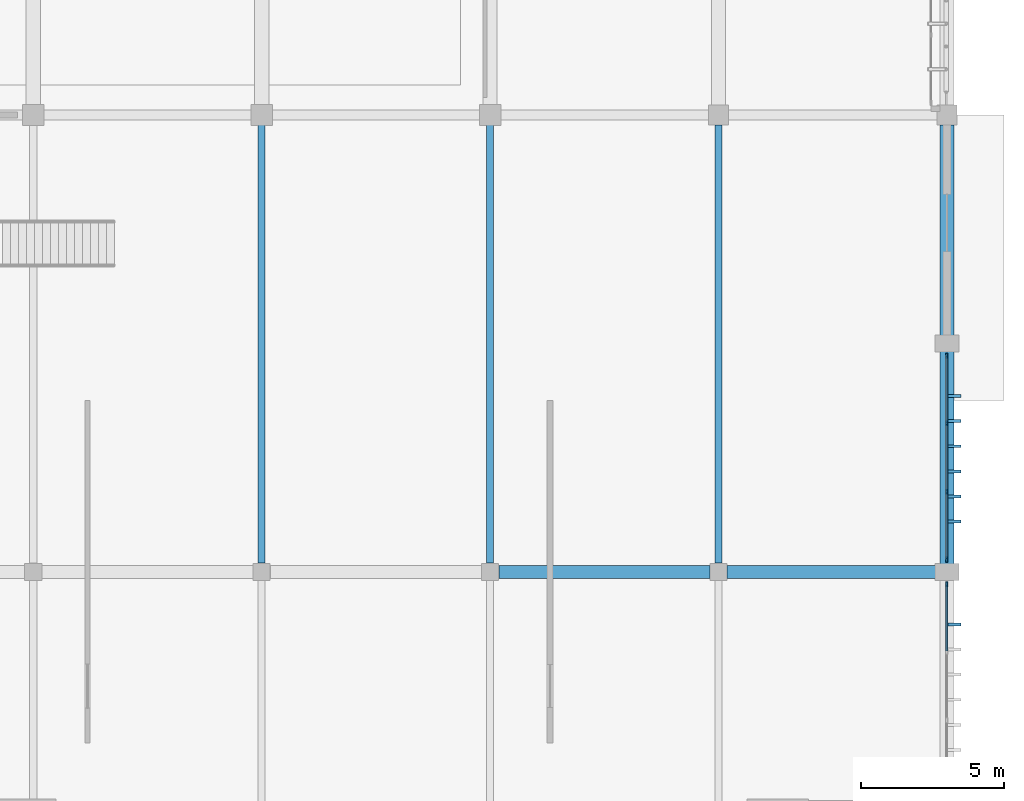
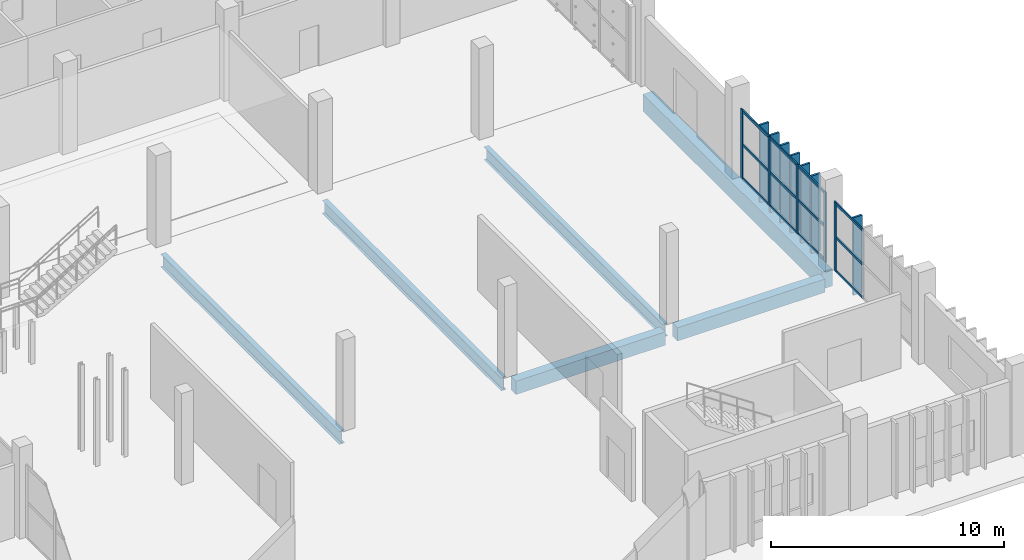
# One storey, part 61 of 117: 24 members, 6 beams, 2 elements without a shape of their own.
"""IFC4 building model written with IfcOpenShell, lengths in metres."""

from ifc_helpers import new_model, si_unit, direction, frame, origin, origin_2d, place, context, subcontext, project, spatial, rectangle, i_section, extrude, material, layer, layer_set, material_profile, profile_set, type_object, element, aggregate, save


model = new_model("IFC4")

# Units and contexts
model_context = context("Model", 3, precision=1e-05, world=origin(), true_north=direction((0.0, 1.0)))
body_context = subcontext(model_context, "Body", "Model", "MODEL_VIEW")
ifc_project = project(units=[si_unit("LENGTHUNIT", "METRE"), si_unit("AREAUNIT", "SQUARE_METRE"), si_unit("VOLUMEUNIT", "CUBIC_METRE"), si_unit("PLANEANGLEUNIT", "RADIAN"), si_unit("MASSUNIT", "GRAM", prefix="KILO")], contexts=[model_context])

# Site, building, storey
site_placement = place(None, origin())
site = spatial("IfcSite", under=ifc_project, at=site_placement, CompositionType="ELEMENT")
building_placement = place(site_placement, origin())
building = spatial("IfcBuilding", under=site, at=building_placement, Name="Jelvoka-Kovrelna Polytechnic", CompositionType="ELEMENT")
storey_placement = place(building_placement, origin())
storey = spatial("IfcBuildingStorey", under=building, at=storey_placement, Name="L01", CompositionType="ELEMENT", Elevation=0.0)

# Beams
ifc_material_1 = material(Name="Concrete C40/50", Category="concrete")
ifc_material_profile_1 = material_profile(ifc_material_1, rectangle(XDim=0.449951171875, YDim=0.699951171875, at=origin_2d()), Name="RC 450x700")
ifc_profile_set_1 = profile_set([ifc_material_profile_1], Name="Concrete C40/50")
beam_type_1 = type_object("IfcBeamType", Name="Beam_RC_450x700", PredefinedType="BEAM", material=ifc_profile_set_1)
beam_1_placement = place(storey_placement, frame((184.304931640625, 16.0, -0.760009765625), z_axis=(1.0, 0.0, 0.0), x_axis=(0.0, 1.0, 0.0)))
element("IfcBeam", 1, at=beam_1_placement, inside=storey, type_object=beam_type_1, Name="L01 beam 0152", PredefinedType="BEAM", context=body_context, shape_type="SweptSolid", body=[
    extrude(rectangle(XDim=0.449951171875, YDim=0.699951171875, at=origin_2d()), origin(), (0.0, 0.0, 1.0), 7.39013671875),
])
beam_2_placement = place(storey_placement, frame((192.304931640625, 16.0, -0.760009765625), z_axis=(1.0, 0.0, 0.0), x_axis=(0.0, 1.0, 0.0)))
element("IfcBeam", 2, at=beam_2_placement, inside=storey, type_object=beam_type_1, Name="L01 beam 0155", PredefinedType="BEAM", context=body_context, shape_type="SweptSolid", body=[
    extrude(rectangle(XDim=0.449951171875, YDim=0.699951171875, at=origin_2d()), origin(), (0.0, 0.0, 1.0), 7.2900390625),
])
ifc_material_2 = material(Name="Concrete C40/50", Category="concrete")
ifc_material_profile_2 = material_profile(ifc_material_2, rectangle(XDim=0.5, YDim=0.89990234375, at=origin_2d()), Name="RC 500x900")
ifc_profile_set_2 = profile_set([ifc_material_profile_2], Name="Concrete C40/50")
beam_type_2 = type_object("IfcBeamType", Name="Beam_RC_500x900", PredefinedType="BEAM", material=ifc_profile_set_2)
beam_3_placement = place(storey_placement, frame((200.0, 16.280029296875, -0.860107421875), z_axis=(0.0, 1.0, 0.0), x_axis=(-1.0, 0.0, 0.0)))
element("IfcBeam", 3, at=beam_3_placement, inside=storey, type_object=beam_type_2, Name="L01 beam 0141", PredefinedType="BEAM", context=body_context, shape_type="SweptSolid", body=[
    extrude(rectangle(XDim=0.5, YDim=0.89990234375, at=origin_2d()), origin(), (0.0, 0.0, 1.0), 15.364990234375),
])
ifc_material_3 = material(Name="Structural steel S355JR", Category="steel")
ifc_material_profile_3 = material_profile(ifc_material_3, i_section(OverallWidth=0.2529296875, OverallDepth=0.677978515625, WebThickness=0.01171875, FlangeThickness=0.01611328125, FilletRadius=0.01513671875, at=origin_2d()), Name="686x254x125 UB")
ifc_profile_set_3 = profile_set([ifc_material_profile_3], Name="Structural steel S355JR")
beam_type_3 = type_object("IfcBeamType", Name="Girder_Steel_UB686", PredefinedType="BEAM", material=ifc_profile_set_3)
for number, where, z_axis, x_axis, name in (
    (4, (176.0, 16.304931640625, -0.7490234375), (0.0, 1.0, 0.0), (-1.0, 0.0, 0.0), "L01 beam 0135"),
    (5, (184.0, 16.304931640625, -0.7490234375), (0.0, 1.0, 0.0), (-1.0, 0.0, 0.0), "L01 beam 0137"),
    (6, (192.0, 16.304931640625, -0.7490234375), (0.0, 1.0, 0.0), (-1.0, 0.0, 0.0), "L01 beam 0139"),
):
    element("IfcBeam", number, at=place(storey_placement, frame(where, z_axis=z_axis, x_axis=x_axis)), inside=storey, type_object=beam_type_3, Name=name, PredefinedType="BEAM", context=body_context, shape_type="SweptSolid", body=[
        extrude(i_section(OverallWidth=0.2529296875, OverallDepth=0.677978515625, WebThickness=0.01171875, FlangeThickness=0.01611328125, FilletRadius=0.01513671875, at=origin_2d()), origin(), (0.0, 0.0, 1.0), 15.340087890625),
    ])

# Members
ifc_material_4 = material(Name="Precast concrete C40/50", Category="concrete")
ifc_material_profile_4 = material_profile(ifc_material_4, rectangle(XDim=0.10009765625, YDim=0.449951171875, at=origin_2d()), Name="PC 100x450")
ifc_profile_set_4 = profile_set([ifc_material_profile_4], Name="Precast concrete C40/50")
member_type_1 = type_object("IfcMemberType", Name="Louvre_Fin_100x450", PredefinedType="USERDEFINED", material=ifc_profile_set_4)
for number, where, z_axis, x_axis, name in (
    (7, (200.264892578125, 14.159912109375, -0.419921875), (0.0, 0.0, 1.0), (0.0, 1.0, 0.0), "L01 V5 east solar louvre fin 2421"),
    (8, (200.264892578125, 17.760009765625, -0.419921875), (0.0, 0.0, 1.0), (0.0, 1.0, 0.0), "L01 V5 east solar louvre fin 2422"),
    (9, (200.264892578125, 18.639892578125, -0.419921875), (0.0, 0.0, 1.0), (0.0, 1.0, 0.0), "L01 V5 east solar louvre fin 2423"),
    (10, (200.264892578125, 19.52001953125, -0.419921875), (0.0, 0.0, 1.0), (0.0, 1.0, 0.0), "L01 V5 east solar louvre fin 2424"),
    (11, (200.264892578125, 20.39990234375, -0.419921875), (0.0, 0.0, 1.0), (0.0, 1.0, 0.0), "L01 V5 east solar louvre fin 2425"),
    (12, (200.264892578125, 21.280029296875, -0.419921875), (0.0, 0.0, 1.0), (0.0, 1.0, 0.0), "L01 V5 east solar louvre fin 2426"),
    (13, (200.264892578125, 22.159912109375, -0.419921875), (0.0, 0.0, 1.0), (0.0, 1.0, 0.0), "L01 V5 east solar louvre fin 2427"),
):
    element("IfcMember", number, at=place(storey_placement, frame(where, z_axis=z_axis, x_axis=x_axis)), inside=storey, type_object=member_type_1, Name=name, ObjectType="SUNSHADE", PredefinedType="USERDEFINED", context=body_context, shape_type="SweptSolid", body=[
        extrude(rectangle(XDim=0.10009765625, YDim=0.449951171875, at=origin_2d()), origin(), (0.0, 0.0, 1.0), 4.059814453125),
    ])

# Curtain wall, member
ifc_material_5 = material(Name="Anodised aluminium 6063-T6", Category="aluminium")
ifc_layer = layer(ifc_material_5, 0.179931640625)
ifc_layer_set = layer_set([ifc_layer], Name="Anodised aluminium 6063-T6")
curtain_wall_type = type_object("IfcCurtainWallType", Name="CW_Pavilion", PredefinedType="NOTDEFINED", material=ifc_layer_set)
curtain_wall_1_placement = place(storey_placement, origin())
curtain_wall_1 = element("IfcCurtainWall", 14, at=curtain_wall_1_placement, inside=storey, type_object=curtain_wall_type, Name="L01 glazed curtain wall 270", PredefinedType="NOTDEFINED")
ifc_material_6 = material(Name="Anodised aluminium 6063-T6", Category="aluminium")
ifc_material_profile_5 = material_profile(ifc_material_6, rectangle(XDim=0.06494140625, YDim=0.179931640625, at=origin_2d()), Name="ALU 65x180")
ifc_profile_set_5 = profile_set([ifc_material_profile_5], Name="Anodised aluminium 6063-T6")
member_type_2 = type_object("IfcMemberType", Name="Mullion_M-05", PredefinedType="MULLION", material=ifc_profile_set_5)
member_1_placement = place(storey_placement, frame((200.0, 15.5673828125, -0.02490234375), z_axis=(0.0, 0.0, 1.0), x_axis=(1.0, 0.0, 0.0)))
member_1 = element("IfcMember", 15, at=member_1_placement, type_object=member_type_2, Name="CW-05 mullion 1", PredefinedType="MULLION", context=body_context, shape_type="SweptSolid", body=[
    extrude(rectangle(XDim=0.06494140625, YDim=0.179931640625, at=origin_2d()), origin(), (0.0, 0.0, 1.0), 3.64013671875),
])

# Curtain wall, members
curtain_wall_2_placement = place(storey_placement, origin())
curtain_wall_2 = element("IfcCurtainWall", 16, at=curtain_wall_2_placement, inside=storey, type_object=curtain_wall_type, Name="L01 glazed curtain wall 271", PredefinedType="NOTDEFINED")
member_2_placement = place(storey_placement, frame((200.0, 23.5673828125, -0.02490234375), z_axis=(0.0, 0.0, 1.0), x_axis=(1.0, 0.0, 0.0)))
member_2 = element("IfcMember", 17, at=member_2_placement, type_object=member_type_2, Name="CW-05 mullion 1", PredefinedType="MULLION", context=body_context, shape_type="SweptSolid", body=[
    extrude(rectangle(XDim=0.06494140625, YDim=0.179931640625, at=origin_2d()), origin(), (0.0, 0.0, 1.0), 3.64013671875),
])
member_3_placement = place(storey_placement, frame((200.0, 21.199951171875, -0.02490234375), z_axis=(0.0, 0.0, 1.0), x_axis=(1.0, 0.0, 0.0)))
member_3 = element("IfcMember", 18, at=member_3_placement, type_object=member_type_2, Name="CW-05 mullion 2", PredefinedType="MULLION", context=body_context, shape_type="SweptSolid", body=[
    extrude(rectangle(XDim=0.06494140625, YDim=0.179931640625, at=origin_2d()), origin(), (0.0, 0.0, 1.0), 3.64013671875),
])
member_4_placement = place(storey_placement, frame((200.0, 18.800048828125, -0.02490234375), z_axis=(0.0, 0.0, 1.0), x_axis=(1.0, 0.0, 0.0)))
member_4 = element("IfcMember", 19, at=member_4_placement, type_object=member_type_2, Name="CW-05 mullion 3", PredefinedType="MULLION", context=body_context, shape_type="SweptSolid", body=[
    extrude(rectangle(XDim=0.06494140625, YDim=0.179931640625, at=origin_2d()), origin(), (0.0, 0.0, 1.0), 3.64013671875),
])
member_5_placement = place(storey_placement, frame((200.0, 16.4326171875, -0.02490234375), z_axis=(0.0, 0.0, 1.0), x_axis=(1.0, 0.0, 0.0)))
member_5 = element("IfcMember", 20, at=member_5_placement, type_object=member_type_2, Name="CW-05 mullion 4", PredefinedType="MULLION", context=body_context, shape_type="SweptSolid", body=[
    extrude(rectangle(XDim=0.06494140625, YDim=0.179931640625, at=origin_2d()), origin(), (0.0, 0.0, 1.0), 3.64013671875),
])

# Member
ifc_material_7 = material(Name="Anodised aluminium 6063-T6", Category="aluminium")
ifc_material_profile_6 = material_profile(ifc_material_7, rectangle(XDim=0.06494140625, YDim=0.135009765625, at=origin_2d()), Name="ALU 65x135")
ifc_profile_set_6 = profile_set([ifc_material_profile_6], Name="Anodised aluminium 6063-T6")
member_type_3 = type_object("IfcMemberType", Name="Transom_T-05", PredefinedType="USERDEFINED", material=ifc_profile_set_6)
member_6_placement = place(storey_placement, frame((200.0, 15.534912109375, 0.032470703125), z_axis=(0.0, -1.0, 0.0), x_axis=(1.0, 0.0, 0.0)))
member_6 = element("IfcMember", 21, at=member_6_placement, type_object=member_type_3, Name="CW-05 transom 1.1", ObjectType="TRANSOM", PredefinedType="USERDEFINED", context=body_context, shape_type="SweptSolid", body=[
    extrude(rectangle(XDim=0.06494140625, YDim=0.135009765625, at=origin_2d()), origin(), (0.0, 0.0, 1.0), 2.302490234375),
])

member_7_placement = place(storey_placement, frame((200.0, 15.534912109375, 1.794921875), z_axis=(0.0, -1.0, 0.0), x_axis=(1.0, 0.0, 0.0)))
member_7 = element("IfcMember", 22, at=member_7_placement, type_object=member_type_3, Name="CW-05 transom 1.2", ObjectType="TRANSOM", PredefinedType="USERDEFINED", context=body_context, shape_type="SweptSolid", body=[
    extrude(rectangle(XDim=0.06494140625, YDim=0.135009765625, at=origin_2d()), origin(), (0.0, 0.0, 1.0), 2.302490234375),
])

member_8_placement = place(storey_placement, frame((200.0, 15.534912109375, 3.5576171875), z_axis=(0.0, -1.0, 0.0), x_axis=(1.0, 0.0, 0.0)))
member_8 = element("IfcMember", 23, at=member_8_placement, type_object=member_type_3, Name="CW-05 transom 1.3", ObjectType="TRANSOM", PredefinedType="USERDEFINED", context=body_context, shape_type="SweptSolid", body=[
    extrude(rectangle(XDim=0.06494140625, YDim=0.135009765625, at=origin_2d()), origin(), (0.0, 0.0, 1.0), 2.302490234375),
])

aggregate(curtain_wall_1, [member_1, member_6, member_7, member_8])

member_9_placement = place(storey_placement, frame((200.0, 23.534912109375, 0.032470703125), z_axis=(0.0, -1.0, 0.0), x_axis=(1.0, 0.0, 0.0)))
member_9 = element("IfcMember", 24, at=member_9_placement, type_object=member_type_3, Name="CW-05 transom 1.1", ObjectType="TRANSOM", PredefinedType="USERDEFINED", context=body_context, shape_type="SweptSolid", body=[
    extrude(rectangle(XDim=0.06494140625, YDim=0.135009765625, at=origin_2d()), origin(), (0.0, 0.0, 1.0), 2.302490234375),
])

member_10_placement = place(storey_placement, frame((200.0, 23.534912109375, 1.794921875), z_axis=(0.0, -1.0, 0.0), x_axis=(1.0, 0.0, 0.0)))
member_10 = element("IfcMember", 25, at=member_10_placement, type_object=member_type_3, Name="CW-05 transom 1.2", ObjectType="TRANSOM", PredefinedType="USERDEFINED", context=body_context, shape_type="SweptSolid", body=[
    extrude(rectangle(XDim=0.06494140625, YDim=0.135009765625, at=origin_2d()), origin(), (0.0, 0.0, 1.0), 2.302490234375),
])

member_11_placement = place(storey_placement, frame((200.0, 23.534912109375, 3.5576171875), z_axis=(0.0, -1.0, 0.0), x_axis=(1.0, 0.0, 0.0)))
member_11 = element("IfcMember", 26, at=member_11_placement, type_object=member_type_3, Name="CW-05 transom 1.3", ObjectType="TRANSOM", PredefinedType="USERDEFINED", context=body_context, shape_type="SweptSolid", body=[
    extrude(rectangle(XDim=0.06494140625, YDim=0.135009765625, at=origin_2d()), origin(), (0.0, 0.0, 1.0), 2.302490234375),
])

member_12_placement = place(storey_placement, frame((200.0, 21.16748046875, 0.032470703125), z_axis=(0.0, -1.0, 0.0), x_axis=(1.0, 0.0, 0.0)))
member_12 = element("IfcMember", 27, at=member_12_placement, type_object=member_type_3, Name="CW-05 transom 2.1", ObjectType="TRANSOM", PredefinedType="USERDEFINED", context=body_context, shape_type="SweptSolid", body=[
    extrude(rectangle(XDim=0.06494140625, YDim=0.135009765625, at=origin_2d()), origin(), (0.0, 0.0, 1.0), 2.3349609375),
])

member_13_placement = place(storey_placement, frame((200.0, 21.16748046875, 1.794921875), z_axis=(0.0, -1.0, 0.0), x_axis=(1.0, 0.0, 0.0)))
member_13 = element("IfcMember", 28, at=member_13_placement, type_object=member_type_3, Name="CW-05 transom 2.2", ObjectType="TRANSOM", PredefinedType="USERDEFINED", context=body_context, shape_type="SweptSolid", body=[
    extrude(rectangle(XDim=0.06494140625, YDim=0.135009765625, at=origin_2d()), origin(), (0.0, 0.0, 1.0), 2.3349609375),
])

member_14_placement = place(storey_placement, frame((200.0, 21.16748046875, 3.5576171875), z_axis=(0.0, -1.0, 0.0), x_axis=(1.0, 0.0, 0.0)))
member_14 = element("IfcMember", 29, at=member_14_placement, type_object=member_type_3, Name="CW-05 transom 2.3", ObjectType="TRANSOM", PredefinedType="USERDEFINED", context=body_context, shape_type="SweptSolid", body=[
    extrude(rectangle(XDim=0.06494140625, YDim=0.135009765625, at=origin_2d()), origin(), (0.0, 0.0, 1.0), 2.3349609375),
])

member_15_placement = place(storey_placement, frame((200.0, 18.767578125, 0.032470703125), z_axis=(0.0, -1.0, 0.0), x_axis=(1.0, 0.0, 0.0)))
member_15 = element("IfcMember", 30, at=member_15_placement, type_object=member_type_3, Name="CW-05 transom 3.1", ObjectType="TRANSOM", PredefinedType="USERDEFINED", context=body_context, shape_type="SweptSolid", body=[
    extrude(rectangle(XDim=0.06494140625, YDim=0.135009765625, at=origin_2d()), origin(), (0.0, 0.0, 1.0), 2.302490234375),
])

member_16_placement = place(storey_placement, frame((200.0, 18.767578125, 1.794921875), z_axis=(0.0, -1.0, 0.0), x_axis=(1.0, 0.0, 0.0)))
member_16 = element("IfcMember", 31, at=member_16_placement, type_object=member_type_3, Name="CW-05 transom 3.2", ObjectType="TRANSOM", PredefinedType="USERDEFINED", context=body_context, shape_type="SweptSolid", body=[
    extrude(rectangle(XDim=0.06494140625, YDim=0.135009765625, at=origin_2d()), origin(), (0.0, 0.0, 1.0), 2.302490234375),
])

member_17_placement = place(storey_placement, frame((200.0, 18.767578125, 3.5576171875), z_axis=(0.0, -1.0, 0.0), x_axis=(1.0, 0.0, 0.0)))
member_17 = element("IfcMember", 32, at=member_17_placement, type_object=member_type_3, Name="CW-05 transom 3.3", ObjectType="TRANSOM", PredefinedType="USERDEFINED", context=body_context, shape_type="SweptSolid", body=[
    extrude(rectangle(XDim=0.06494140625, YDim=0.135009765625, at=origin_2d()), origin(), (0.0, 0.0, 1.0), 2.302490234375),
])

aggregate(curtain_wall_2, [member_2, member_3, member_4, member_5, member_9, member_10, member_11, member_12, member_13, member_14, member_15, member_16, member_17])

save(model, "model.ifc")
